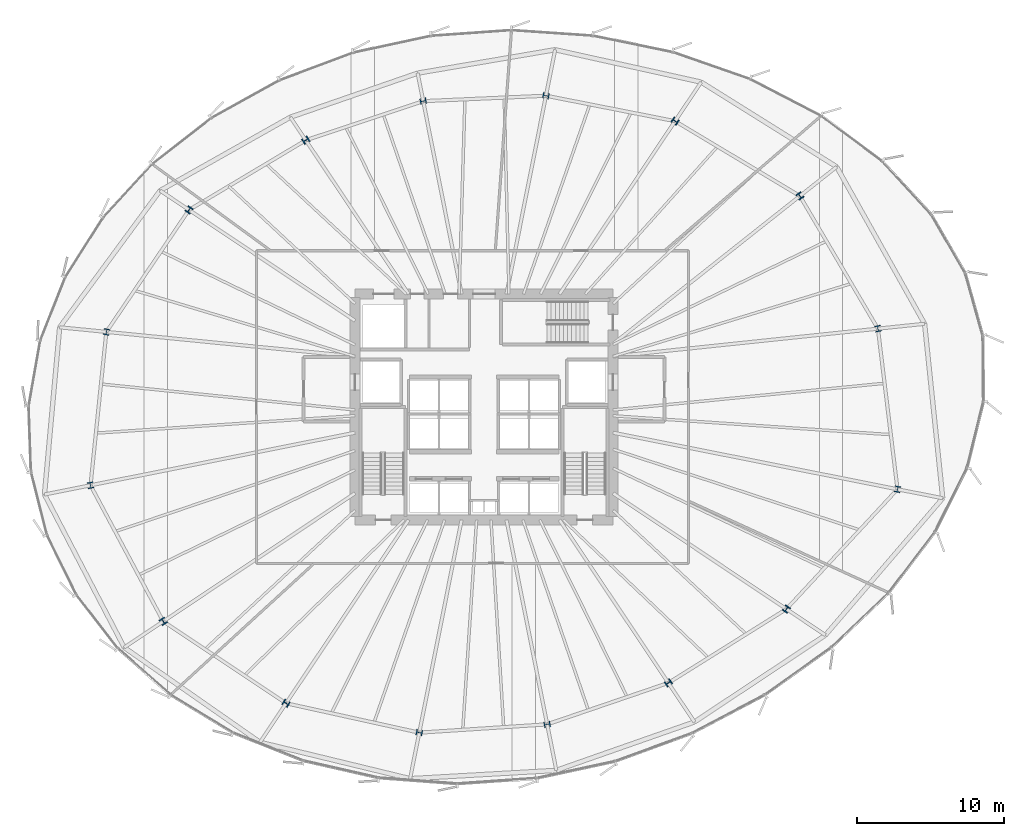
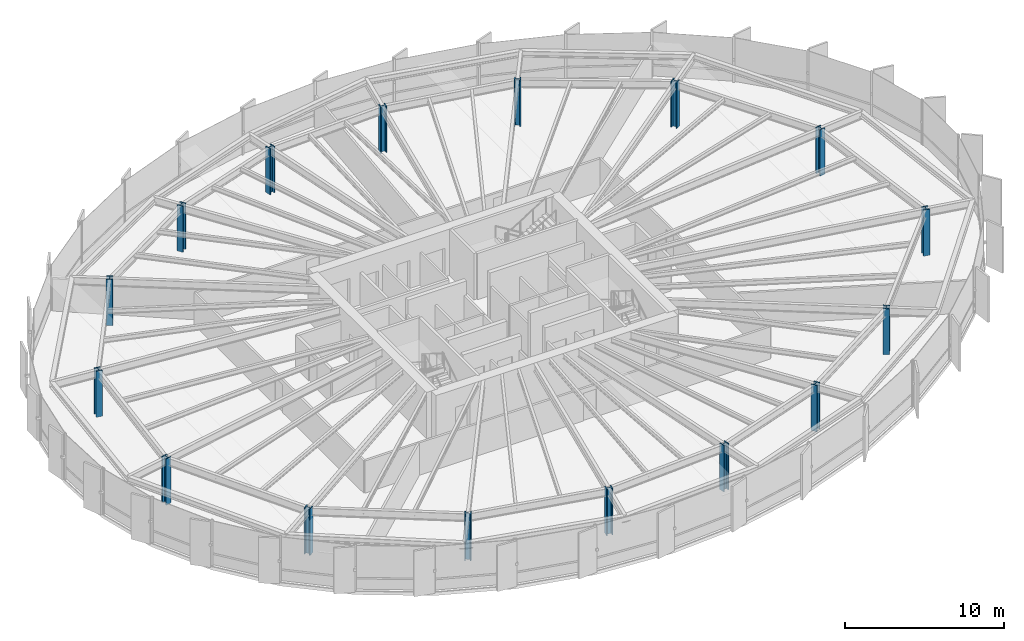
# One storey, part 1 of 38: 16 columns.
"""IFC4 building model written with IfcOpenShell, lengths in metres."""

from ifc_helpers import new_model, si_unit, direction, frame, origin, origin_2d, place, context, subcontext, project, spatial, i_section, extrude, source, transform, mapped, material, material_profile, profile_set, type_object, element, save


model = new_model("IFC4")

# Units and contexts
model_context = context("Model", 3, precision=1e-05, world=origin(), true_north=direction((0.0, 1.0)))
body_context = subcontext(model_context, "Body", "Model", "MODEL_VIEW")
ifc_project = project(units=[si_unit("LENGTHUNIT", "METRE"), si_unit("AREAUNIT", "SQUARE_METRE"), si_unit("VOLUMEUNIT", "CUBIC_METRE"), si_unit("PLANEANGLEUNIT", "RADIAN"), si_unit("MASSUNIT", "GRAM", prefix="KILO"), si_unit("THERMODYNAMICTEMPERATUREUNIT", "KELVIN")], contexts=[model_context])

# Site, building, storey
site_placement = place(None, origin())
site = spatial("IfcSite", under=ifc_project, at=site_placement, CompositionType="ELEMENT")
building_placement = place(site_placement, origin())
building = spatial("IfcBuilding", under=site, at=building_placement, Name="Kethvar Cultural Tower", CompositionType="ELEMENT")
storey_placement = place(building_placement, frame((0.0, 0.0, 63.800048828125)))
storey = spatial("IfcBuildingStorey", under=building, at=storey_placement, Name="L15", CompositionType="ELEMENT", Elevation=63.800048828125)

# Columns
ifc_material = material(Name="Steel S460M", Category="steel")
ifc_material_profile = material_profile(ifc_material, i_section(OverallWidth=0.412109375, OverallDepth=0.430908203125, WebThickness=0.0419921875, FlangeThickness=0.068115234375, FilletRadius=0.014892578125, at=origin_2d()), Name="Steel S460M — HD400x900")
ifc_profile_set = profile_set([ifc_material_profile], Name="Steel S460M — HD400x900")
column_type = type_object("IfcColumnType", Name="COL-HD900", PredefinedType="COLUMN", material=ifc_profile_set)
shared_shape = source(origin(), body_context, "Body", "SweptSolid", [
    extrude(i_section(OverallWidth=0.412109375, OverallDepth=0.430908203125, WebThickness=0.0419921875, FlangeThickness=0.068115234375, FilletRadius=0.014892578125, at=origin_2d()), origin(), (0.0, 0.0, 1.0), 3.550048828125),
])
for number, where, z_axis, x_axis, name in (
    (1, (73.65673828125, 33.14208984375, 0.0), (0.0, 0.0, 1.0), (0.980785280403, 0.195090322016, 0.0), "L15 Mega-Column MC-01"),
    (2, (68.33642578125, 42.190185546875, 0.0), (0.0, 0.0, 1.0), (0.831469612303, 0.55557023302, 0.0), "L15 Mega-Column MC-02"),
    (3, (59.824951171875, 47.293212890625, 0.0), (0.0, 0.0, 1.0), (0.55557023302, 0.831469612303, 0.0), "L15 Mega-Column MC-03"),
    (4, (51.022216796875, 49.02587890625, 0.0), (0.0, 0.0, 1.0), (0.195090322016, 0.980785280403, 0.0), "L15 Mega-Column MC-04"),
    (5, (42.651611328125, 48.65576171875, 0.0), (0.0, 0.0, 1.0), (-0.195090322016, 0.980785280403, 0.0), "L15 Mega-Column MC-05"),
    (6, (34.64599609375, 45.98974609375, 0.0), (0.0, 0.0, 1.0), (-0.55557023302, 0.831469612303, 0.0), "L15 Mega-Column MC-06"),
    (7, (26.6845703125, 41.24072265625, 0.0), (0.0, 0.0, 1.0), (-0.831469612303, 0.55557023302, 0.0), "L15 Mega-Column MC-07"),
    (8, (21.047119140625, 32.922607421875, 0.0), (0.0, 0.0, 1.0), (-0.980785280403, 0.195090322016, 0.0), "L15 Mega-Column MC-08"),
    (9, (19.9658203125, 22.46240234375, 0.0), (0.0, 0.0, 1.0), (-0.980785280403, -0.195090322016, 0.0), "L15 Mega-Column MC-09"),
    (10, (24.9248046875, 13.183349609375, 0.0), (0.0, 0.0, 1.0), (-0.831469612303, -0.55557023302, 0.0), "L15 Mega-Column MC-10"),
    (11, (33.302001953125, 7.598876953125, 0.0), (0.0, 0.0, 1.0), (-0.55557023302, -0.831469612303, 0.0), "L15 Mega-Column MC-11"),
    (12, (42.38330078125, 5.59619140625, 0.0), (0.0, 0.0, 1.0), (-0.195090322016, -0.980785280403, 0.0), "L15 Mega-Column MC-12"),
    (13, (51.10400390625, 6.16259765625, 0.0), (0.0, 0.0, 1.0), (0.195090322016, -0.980785280403, 0.0), "L15 Mega-Column MC-13"),
    (14, (59.370361328125, 8.987060546875, 0.0), (0.0, 0.0, 1.0), (0.55557023302, -0.831469612303, 0.0), "L15 Mega-Column MC-14"),
    (15, (67.41845703125, 14.023193359375, 0.0), (0.0, 0.0, 1.0), (0.831469612303, -0.55557023302, 0.0), "L15 Mega-Column MC-15"),
    (16, (74.9912109375, 22.1923828125, 0.0), (0.0, 0.0, 1.0), (0.980785280403, -0.195090322016, 0.0), "L15 Mega-Column MC-16"),
):
    element("IfcColumn", number, at=place(storey_placement, frame(where, z_axis=z_axis, x_axis=x_axis)), inside=storey, type_object=column_type, Name=name, PredefinedType="COLUMN", context=body_context, shape_type="MappedRepresentation", body=[
        mapped(shared_shape, transform((0.0, 0.0, 0.0), scale=1.0)),
    ])

save(model, "model.ifc")
